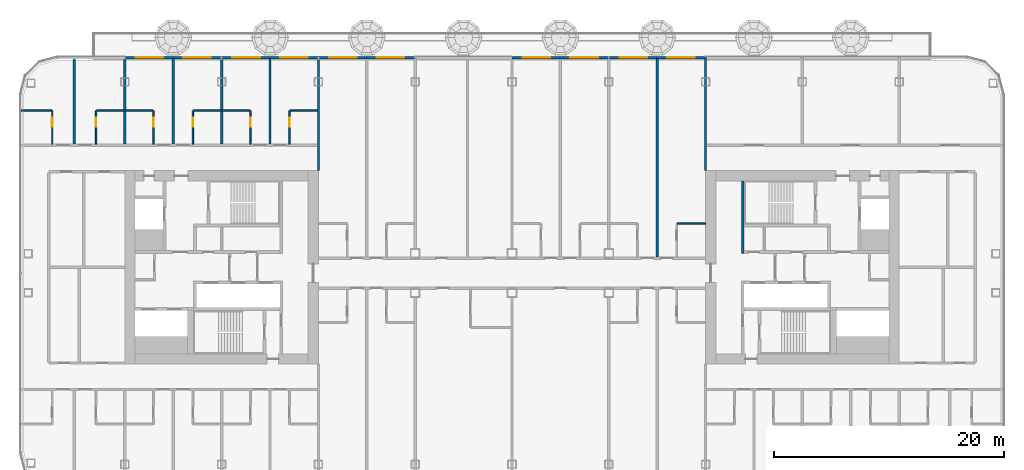
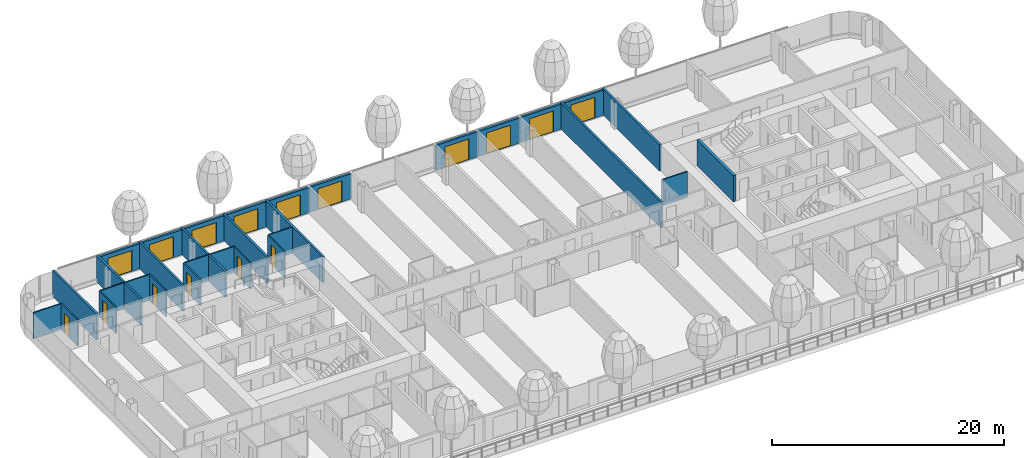
# One storey, part 16 of 32: 30 walls, 16 doors, 16 openings, 1 element without a shape of its own.
"""IFC4 building model written with IfcOpenShell, lengths in metres."""

from ifc_helpers import new_model, si_unit, direction, frame, frame_2d, origin, place, context, subcontext, project, spatial, rectangle, extrude, material, layer, layer_set, type_object, element, fill, aggregate, save


model = new_model("IFC4")

# Units and contexts
model_context = context("Model", 3, precision=1e-05, world=origin(), true_north=direction((0.0, 1.0)))
body_context = subcontext(model_context, "Body", "Model", "MODEL_VIEW")
ifc_project = project(units=[si_unit("LENGTHUNIT", "METRE"), si_unit("AREAUNIT", "SQUARE_METRE"), si_unit("VOLUMEUNIT", "CUBIC_METRE"), si_unit("PLANEANGLEUNIT", "RADIAN"), si_unit("MASSUNIT", "GRAM", prefix="KILO")], contexts=[model_context])

# Site, building, storey
site_placement = place(None, origin())
site = spatial("IfcSite", under=ifc_project, at=site_placement, CompositionType="ELEMENT")
building_placement = place(site_placement, origin())
building = spatial("IfcBuilding", under=site, at=building_placement, Name="Hakoniwa Tower and Hamabe Station Hall", CompositionType="ELEMENT")
storey_placement = place(building_placement, frame((0.0, 0.0, 150.199951171875)))
storey = spatial("IfcBuildingStorey", under=building, at=storey_placement, Name="L42", CompositionType="ELEMENT", Elevation=150.199951171875)

# Walls
ifc_material_1 = material(Name="Gypsum board partition", Category="gypsum")
ifc_layer_1 = layer(ifc_material_1, 0.125)
ifc_layer_set_1 = layer_set([ifc_layer_1], Name="Bathroom Partition 125")
wall_type_1 = type_object("IfcWallType", Name="Bathroom Partition 125", PredefinedType="PARTITIONING", material=ifc_layer_set_1)
wall_1_placement = place(storey_placement, frame((14.362548828125, 3.800048828125, 0.0), z_axis=(0.0, 0.0, 1.0), x_axis=(1.0, 0.0, 0.0)))
element("IfcWall", 1, at=wall_1_placement, inside=storey, type_object=wall_type_1, Name="GW-L42-026", PredefinedType="PARTITIONING", context=body_context, shape_type="SweptSolid", body=[
    extrude(rectangle(XDim=2.447509765625, YDim=0.125, at=frame_2d((1.2236328125, 0.0))), origin(), (0.0, 0.0, 1.0), 2.75),
])
wall_2_placement = place(storey_placement, frame((-42.699951171875, 13.60009765625, 0.0), z_axis=(0.0, 0.0, 1.0), x_axis=(1.0, 0.0, 0.0)))
element("IfcWall", 2, at=wall_2_placement, inside=storey, type_object=wall_type_1, Name="GW-L42-031", PredefinedType="PARTITIONING", context=body_context, shape_type="SweptSolid", body=[
    extrude(rectangle(XDim=2.737548828125, YDim=0.125, at=frame_2d((1.36865234375, 0.0))), origin(), (0.0, 0.0, 1.0), 2.75),
])
for number, where, z_axis, x_axis, name in (
    (3, (-36.03759765625, 13.60009765625, 0.0), (0.0, 0.0, 1.0), (1.0, 0.0, 0.0), "GW-L42-032"),
    (4, (-27.637451171875, 13.60009765625, 0.0), (0.0, 0.0, 1.0), (1.0, 0.0, 0.0), "GW-L42-033"),
):
    element("IfcWall", number, at=place(storey_placement, frame(where, z_axis=z_axis, x_axis=x_axis)), inside=storey, type_object=wall_type_1, Name=name, PredefinedType="PARTITIONING", context=body_context, shape_type="SweptSolid", body=[
        extrude(rectangle(XDim=4.875, YDim=0.125, at=frame_2d((2.4375, 0.0))), origin(), (0.0, 0.0, 1.0), 2.75),
    ])
wall_3_placement = place(storey_placement, frame((-19.237548828125, 13.60009765625, 0.0), z_axis=(0.0, 0.0, 1.0), x_axis=(1.0, 0.0, 0.0)))
element("IfcWall", 5, at=wall_3_placement, inside=storey, type_object=wall_type_1, Name="GW-L42-034", PredefinedType="PARTITIONING", context=body_context, shape_type="SweptSolid", body=[
    extrude(rectangle(XDim=2.337646484375, YDim=0.125, at=frame_2d((1.1689453125, 0.0))), origin(), (0.0, 0.0, 1.0), 2.75),
])

# Wall, opening, door
wall_4_placement = place(storey_placement, frame((-39.89990234375, 10.699951171875, 0.0), z_axis=(0.0, 0.0, 1.0), x_axis=(0.0, 1.0, 0.0)))
wall_4 = element("IfcWall", 6, at=wall_4_placement, inside=storey, type_object=wall_type_1, Name="GW-L42-037", PredefinedType="PARTITIONING", context=body_context, shape_type="SweptSolid", body=[
    extrude(rectangle(XDim=2.900146484375, YDim=0.125, at=frame_2d((1.4501953125, 0.0))), origin(), (0.0, 0.0, 1.0), 2.75),
])
opening_1_placement = place(wall_4_placement, frame((1.5, 0.0, 0.0)))
opening_1 = element("IfcOpeningElement", 7, at=opening_1_placement, cuts=wall_4, Name="Opening GD-G3B1-45", PredefinedType="OPENING", context=body_context, shape_type="SweptSolid", body=[
    extrude(rectangle(XDim=0.800048828125, YDim=2.10009765625, at=frame_2d((0.39990234375, 1.050048828125))), frame((0.0, 0.072509765625, 0.0), z_axis=(0.0, -1.0, 0.0), x_axis=(1.0, 0.0, 0.0)), (0.0, 0.0, 1.0), 0.14501953125),
])
ifc_material_2 = material(Name="Timber door leaf", Category="wood")
door_type_1 = type_object("IfcDoorType", Name="Bathroom Door 800", OperationType="SINGLE_SWING_LEFT", PredefinedType="DOOR", material=ifc_material_2)
door_1_placement = place(opening_1_placement, origin())
door_1 = element("IfcDoor", 8, at=door_1_placement, inside=storey, type_object=door_type_1, Name="Door GD-G3B1-45", OperationType="SINGLE_SWING_LEFT", OverallHeight=2.10009765625, OverallWidth=0.800048828125, PredefinedType="DOOR", context=body_context, shape_type="SweptSolid", body=[
    extrude(rectangle(XDim=0.800048828125, YDim=2.10009765625, at=frame_2d((0.39990234375, 1.050048828125))), frame((0.0, 0.02490234375, 0.0), z_axis=(0.0, -1.0, 0.0), x_axis=(1.0, 0.0, 0.0)), (0.0, 0.0, 1.0), 0.050048828125),
])
fill(opening_1, door_1)

wall_5_placement = place(storey_placement, frame((-36.10009765625, 10.699951171875, 0.0), z_axis=(0.0, 0.0, 1.0), x_axis=(0.0, 1.0, 0.0)))
wall_5 = element("IfcWall", 9, at=wall_5_placement, inside=storey, type_object=wall_type_1, Name="GW-L42-043", PredefinedType="PARTITIONING", context=body_context, shape_type="SweptSolid", body=[
    extrude(rectangle(XDim=2.900146484375, YDim=0.125, at=frame_2d((1.4501953125, 0.0))), origin(), (0.0, 0.0, 1.0), 2.75),
])
opening_2_placement = place(wall_5_placement, frame((1.5, 0.0, 0.0)))
opening_2 = element("IfcOpeningElement", 10, at=opening_2_placement, cuts=wall_5, Name="Opening GD-G3B1-47", PredefinedType="OPENING", context=body_context, shape_type="SweptSolid", body=[
    extrude(rectangle(XDim=0.800048828125, YDim=2.10009765625, at=frame_2d((0.39990234375, 1.050048828125))), frame((0.0, 0.072509765625, 0.0), z_axis=(0.0, -1.0, 0.0), x_axis=(1.0, 0.0, 0.0)), (0.0, 0.0, 1.0), 0.14501953125),
])
door_2_placement = place(opening_2_placement, origin())
door_2 = element("IfcDoor", 11, at=door_2_placement, inside=storey, type_object=door_type_1, Name="Door GD-G3B1-47", OperationType="SINGLE_SWING_RIGHT", OverallHeight=2.10009765625, OverallWidth=0.800048828125, PredefinedType="DOOR", context=body_context, shape_type="SweptSolid", body=[
    extrude(rectangle(XDim=0.800048828125, YDim=2.10009765625, at=frame_2d((0.39990234375, 1.050048828125))), frame((0.0, 0.02490234375, 0.0), z_axis=(0.0, -1.0, 0.0), x_axis=(1.0, 0.0, 0.0)), (0.0, 0.0, 1.0), 0.050048828125),
])
fill(opening_2, door_2)

wall_6_placement = place(storey_placement, frame((-31.10009765625, 10.699951171875, 0.0), z_axis=(0.0, 0.0, 1.0), x_axis=(0.0, 1.0, 0.0)))
wall_6 = element("IfcWall", 12, at=wall_6_placement, inside=storey, type_object=wall_type_1, Name="GW-L42-047", PredefinedType="PARTITIONING", context=body_context, shape_type="SweptSolid", body=[
    extrude(rectangle(XDim=2.900146484375, YDim=0.125, at=frame_2d((1.4501953125, 0.0))), origin(), (0.0, 0.0, 1.0), 2.75),
])
opening_3_placement = place(wall_6_placement, frame((1.5, 0.0, 0.0)))
opening_3 = element("IfcOpeningElement", 13, at=opening_3_placement, cuts=wall_6, Name="Opening GD-G3B1-49", PredefinedType="OPENING", context=body_context, shape_type="SweptSolid", body=[
    extrude(rectangle(XDim=0.800048828125, YDim=2.10009765625, at=frame_2d((0.39990234375, 1.050048828125))), frame((0.0, 0.072509765625, 0.0), z_axis=(0.0, -1.0, 0.0), x_axis=(1.0, 0.0, 0.0)), (0.0, 0.0, 1.0), 0.14501953125),
])
door_3_placement = place(opening_3_placement, origin())
door_3 = element("IfcDoor", 14, at=door_3_placement, inside=storey, type_object=door_type_1, Name="Door GD-G3B1-49", OperationType="SINGLE_SWING_LEFT", OverallHeight=2.10009765625, OverallWidth=0.800048828125, PredefinedType="DOOR", context=body_context, shape_type="SweptSolid", body=[
    extrude(rectangle(XDim=0.800048828125, YDim=2.10009765625, at=frame_2d((0.39990234375, 1.050048828125))), frame((0.0, 0.02490234375, 0.0), z_axis=(0.0, -1.0, 0.0), x_axis=(1.0, 0.0, 0.0)), (0.0, 0.0, 1.0), 0.050048828125),
])
fill(opening_3, door_3)

wall_7_placement = place(storey_placement, frame((-27.699951171875, 10.699951171875, 0.0), z_axis=(0.0, 0.0, 1.0), x_axis=(0.0, 1.0, 0.0)))
wall_7 = element("IfcWall", 15, at=wall_7_placement, inside=storey, type_object=wall_type_1, Name="GW-L42-051", PredefinedType="PARTITIONING", context=body_context, shape_type="SweptSolid", body=[
    extrude(rectangle(XDim=2.900146484375, YDim=0.125, at=frame_2d((1.4501953125, 0.0))), origin(), (0.0, 0.0, 1.0), 2.75),
])
opening_4_placement = place(wall_7_placement, frame((1.5, 0.0, 0.0)))
opening_4 = element("IfcOpeningElement", 16, at=opening_4_placement, cuts=wall_7, Name="Opening GD-G3B1-51", PredefinedType="OPENING", context=body_context, shape_type="SweptSolid", body=[
    extrude(rectangle(XDim=0.800048828125, YDim=2.10009765625, at=frame_2d((0.39990234375, 1.050048828125))), frame((0.0, 0.072509765625, 0.0), z_axis=(0.0, -1.0, 0.0), x_axis=(1.0, 0.0, 0.0)), (0.0, 0.0, 1.0), 0.14501953125),
])
door_4_placement = place(opening_4_placement, origin())
door_4 = element("IfcDoor", 17, at=door_4_placement, inside=storey, type_object=door_type_1, Name="Door GD-G3B1-51", OperationType="SINGLE_SWING_RIGHT", OverallHeight=2.10009765625, OverallWidth=0.800048828125, PredefinedType="DOOR", context=body_context, shape_type="SweptSolid", body=[
    extrude(rectangle(XDim=0.800048828125, YDim=2.10009765625, at=frame_2d((0.39990234375, 1.050048828125))), frame((0.0, 0.02490234375, 0.0), z_axis=(0.0, -1.0, 0.0), x_axis=(1.0, 0.0, 0.0)), (0.0, 0.0, 1.0), 0.050048828125),
])
fill(opening_4, door_4)

wall_8_placement = place(storey_placement, frame((-22.699951171875, 10.699951171875, 0.0), z_axis=(0.0, 0.0, 1.0), x_axis=(0.0, 1.0, 0.0)))
wall_8 = element("IfcWall", 18, at=wall_8_placement, inside=storey, type_object=wall_type_1, Name="GW-L42-055", PredefinedType="PARTITIONING", context=body_context, shape_type="SweptSolid", body=[
    extrude(rectangle(XDim=2.900146484375, YDim=0.125, at=frame_2d((1.4501953125, 0.0))), origin(), (0.0, 0.0, 1.0), 2.75),
])
opening_5_placement = place(wall_8_placement, frame((1.5, 0.0, 0.0)))
opening_5 = element("IfcOpeningElement", 19, at=opening_5_placement, cuts=wall_8, Name="Opening GD-G3B1-53", PredefinedType="OPENING", context=body_context, shape_type="SweptSolid", body=[
    extrude(rectangle(XDim=0.800048828125, YDim=2.10009765625, at=frame_2d((0.39990234375, 1.050048828125))), frame((0.0, 0.072509765625, 0.0), z_axis=(0.0, -1.0, 0.0), x_axis=(1.0, 0.0, 0.0)), (0.0, 0.0, 1.0), 0.14501953125),
])
door_5_placement = place(opening_5_placement, origin())
door_5 = element("IfcDoor", 20, at=door_5_placement, inside=storey, type_object=door_type_1, Name="Door GD-G3B1-53", OperationType="SINGLE_SWING_LEFT", OverallHeight=2.10009765625, OverallWidth=0.800048828125, PredefinedType="DOOR", context=body_context, shape_type="SweptSolid", body=[
    extrude(rectangle(XDim=0.800048828125, YDim=2.10009765625, at=frame_2d((0.39990234375, 1.050048828125))), frame((0.0, 0.02490234375, 0.0), z_axis=(0.0, -1.0, 0.0), x_axis=(1.0, 0.0, 0.0)), (0.0, 0.0, 1.0), 0.050048828125),
])
fill(opening_5, door_5)

wall_9_placement = place(storey_placement, frame((-19.300048828125, 10.699951171875, 0.0), z_axis=(0.0, 0.0, 1.0), x_axis=(0.0, 1.0, 0.0)))
wall_9 = element("IfcWall", 21, at=wall_9_placement, inside=storey, type_object=wall_type_1, Name="GW-L42-059", PredefinedType="PARTITIONING", context=body_context, shape_type="SweptSolid", body=[
    extrude(rectangle(XDim=2.900146484375, YDim=0.125, at=frame_2d((1.4501953125, 0.0))), origin(), (0.0, 0.0, 1.0), 2.75),
])
opening_6_placement = place(wall_9_placement, frame((1.5, 0.0, 0.0)))
opening_6 = element("IfcOpeningElement", 22, at=opening_6_placement, cuts=wall_9, Name="Opening GD-G3B1-55", PredefinedType="OPENING", context=body_context, shape_type="SweptSolid", body=[
    extrude(rectangle(XDim=0.800048828125, YDim=2.10009765625, at=frame_2d((0.39990234375, 1.050048828125))), frame((0.0, 0.072509765625, 0.0), z_axis=(0.0, -1.0, 0.0), x_axis=(1.0, 0.0, 0.0)), (0.0, 0.0, 1.0), 0.14501953125),
])
door_6_placement = place(opening_6_placement, origin())
door_6 = element("IfcDoor", 23, at=door_6_placement, inside=storey, type_object=door_type_1, Name="Door GD-G3B1-55", OperationType="SINGLE_SWING_RIGHT", OverallHeight=2.10009765625, OverallWidth=0.800048828125, PredefinedType="DOOR", context=body_context, shape_type="SweptSolid", body=[
    extrude(rectangle(XDim=0.800048828125, YDim=2.10009765625, at=frame_2d((0.39990234375, 1.050048828125))), frame((0.0, 0.02490234375, 0.0), z_axis=(0.0, -1.0, 0.0), x_axis=(1.0, 0.0, 0.0)), (0.0, 0.0, 1.0), 0.050048828125),
])
fill(opening_6, door_6)

# Wall
ifc_material_3 = material(Name="Concrete C66", Category="concrete")
ifc_layer_2 = layer(ifc_material_3, 0.25)
ifc_layer_set_2 = layer_set([ifc_layer_2], Name="CORE WEB WALL 250 C66")
wall_type_2 = type_object("IfcWallType", Name="CORE WEB WALL 250 C66", PredefinedType="SHEAR", material=ifc_layer_set_2)
wall_10_placement = place(storey_placement, frame((20.02490234375, 1.199951171875, 0.0), z_axis=(0.0, 0.0, 1.0), x_axis=(0.0, 1.0, 0.0)))
element("IfcWall", 24, at=wall_10_placement, inside=storey, type_object=wall_type_2, Name="Core wall W1N east", PredefinedType="SHEAR", context=body_context, shape_type="SweptSolid", body=[
    extrude(rectangle(XDim=6.300048828125, YDim=0.25, at=frame_2d((3.14990234375, 0.0))), origin(), (0.0, 0.0, 1.0), 2.75),
])

# Curtain wall, walls, openings, doors
ifc_material_4 = material(Name="Dark low-e laminated glass", Category="glass")
ifc_layer_3 = layer(ifc_material_4, 0.199951171875)
ifc_layer_set_3 = layer_set([ifc_layer_3], Name="CW-1 UNITISED GUEST")
curtain_wall_type = type_object("IfcCurtainWallType", Name="CW-1 UNITISED GUEST", PredefinedType="NOTDEFINED", material=ifc_layer_set_3)
curtain_wall_placement = place(storey_placement, origin())
curtain_wall = element("IfcCurtainWall", 25, at=curtain_wall_placement, inside=storey, type_object=curtain_wall_type, Name="CW-1 curtain wall", PredefinedType="NOTDEFINED")
ifc_material_5 = material(Name="Dark glass-faced aluminium panel", Category="aluminium")
ifc_layer_4 = layer(ifc_material_5, 0.199951171875)
ifc_layer_set_4 = layer_set([ifc_layer_4], Name="DOOR BAY WALL")
wall_type_3 = type_object("IfcWallType", Name="DOOR BAY WALL", PredefinedType="NOTDEFINED", material=ifc_layer_set_4)
wall_11_placement = place(storey_placement, frame((16.780029296875, 18.199951171875, 0.0), z_axis=(0.0, 0.0, 1.0), x_axis=(-1.0, 0.0, 0.0)))
wall_11 = element("IfcWall", 26, at=wall_11_placement, type_object=wall_type_3, Name="Door bay wall", PredefinedType="NOTDEFINED", context=body_context, shape_type="SweptSolid", body=[
    extrude(rectangle(XDim=4.219970703125, YDim=0.199951171875, at=frame_2d((2.10986328125, 0.0))), origin(), (0.0, 0.0, 1.0), 2.650146484375),
])
opening_7_placement = place(wall_11_placement, frame((0.909912109375, 0.0, 0.0)))
opening_7 = element("IfcOpeningElement", 27, at=opening_7_placement, cuts=wall_11, Name="Opening BD-N03-6", PredefinedType="OPENING", context=body_context, shape_type="SweptSolid", body=[
    extrude(rectangle(XDim=2.39990234375, YDim=2.199951171875, at=frame_2d((1.199951171875, 1.10009765625))), frame((0.0, 0.10986328125, 0.0), z_axis=(0.0, -1.0, 0.0), x_axis=(1.0, 0.0, 0.0)), (0.0, 0.0, 1.0), 0.219970703125),
])
ifc_material_6 = material(Name="Dark low-e laminated glass", Category="glass")
door_type_2 = type_object("IfcDoorType", Name="BALCONY SLIDING DOOR 2400X2200", OperationType="SLIDING_TO_LEFT", PredefinedType="DOOR", material=ifc_material_6)
door_7_placement = place(opening_7_placement, frame((2.39990234375, 0.0, 0.0), z_axis=(0.0, 0.0, 1.0), x_axis=(-1.0, 0.0, 0.0)))
door_7 = element("IfcDoor", 28, at=door_7_placement, inside=storey, type_object=door_type_2, Name="Balcony sliding door", OperationType="SLIDING_TO_LEFT", OverallHeight=2.199951171875, OverallWidth=2.39990234375, PredefinedType="DOOR", context=body_context, shape_type="SweptSolid", body=[
    extrude(rectangle(XDim=2.39990234375, YDim=2.199951171875, at=frame_2d((1.199951171875, 1.10009765625))), frame((0.0, 0.02490234375, 0.0), z_axis=(0.0, -1.0, 0.0), x_axis=(1.0, 0.0, 0.0)), (0.0, 0.0, 1.0), 0.050048828125),
])
fill(opening_7, door_7)
wall_12_placement = place(storey_placement, frame((12.639892578125, 18.199951171875, 0.0), z_axis=(0.0, 0.0, 1.0), x_axis=(-1.0, 0.0, 0.0)))
wall_12 = element("IfcWall", 29, at=wall_12_placement, type_object=wall_type_3, Name="Door bay wall", PredefinedType="NOTDEFINED", context=body_context, shape_type="SweptSolid", body=[
    extrude(rectangle(XDim=4.219970703125, YDim=0.199951171875, at=frame_2d((2.10986328125, 0.0))), origin(), (0.0, 0.0, 1.0), 2.650146484375),
])
opening_8_placement = place(wall_12_placement, frame((0.909912109375, 0.0, 0.0)))
opening_8 = element("IfcOpeningElement", 30, at=opening_8_placement, cuts=wall_12, Name="Opening BD-N03-5", PredefinedType="OPENING", context=body_context, shape_type="SweptSolid", body=[
    extrude(rectangle(XDim=2.39990234375, YDim=2.199951171875, at=frame_2d((1.199951171875, 1.10009765625))), frame((0.0, 0.10986328125, 0.0), z_axis=(0.0, -1.0, 0.0), x_axis=(1.0, 0.0, 0.0)), (0.0, 0.0, 1.0), 0.219970703125),
])
door_8_placement = place(opening_8_placement, frame((2.39990234375, 0.0, 0.0), z_axis=(0.0, 0.0, 1.0), x_axis=(-1.0, 0.0, 0.0)))
door_8 = element("IfcDoor", 31, at=door_8_placement, inside=storey, type_object=door_type_2, Name="Balcony sliding door", OperationType="SLIDING_TO_LEFT", OverallHeight=2.199951171875, OverallWidth=2.39990234375, PredefinedType="DOOR", context=body_context, shape_type="SweptSolid", body=[
    extrude(rectangle(XDim=2.39990234375, YDim=2.199951171875, at=frame_2d((1.199951171875, 1.10009765625))), frame((0.0, 0.02490234375, 0.0), z_axis=(0.0, -1.0, 0.0), x_axis=(1.0, 0.0, 0.0)), (0.0, 0.0, 1.0), 0.050048828125),
])
fill(opening_8, door_8)
wall_13_placement = place(storey_placement, frame((8.3798828125, 18.199951171875, 0.0), z_axis=(0.0, 0.0, 1.0), x_axis=(-1.0, 0.0, 0.0)))
wall_13 = element("IfcWall", 32, at=wall_13_placement, type_object=wall_type_3, Name="Door bay wall", PredefinedType="NOTDEFINED", context=body_context, shape_type="SweptSolid", body=[
    extrude(rectangle(XDim=4.219970703125, YDim=0.199951171875, at=frame_2d((2.10986328125, 0.0))), origin(), (0.0, 0.0, 1.0), 2.650146484375),
])
opening_9_placement = place(wall_13_placement, frame((0.909912109375, 0.0, 0.0)))
opening_9 = element("IfcOpeningElement", 33, at=opening_9_placement, cuts=wall_13, Name="Opening BD-N03-4", PredefinedType="OPENING", context=body_context, shape_type="SweptSolid", body=[
    extrude(rectangle(XDim=2.39990234375, YDim=2.199951171875, at=frame_2d((1.199951171875, 1.10009765625))), frame((0.0, 0.10986328125, 0.0), z_axis=(0.0, -1.0, 0.0), x_axis=(1.0, 0.0, 0.0)), (0.0, 0.0, 1.0), 0.219970703125),
])
door_9_placement = place(opening_9_placement, frame((2.39990234375, 0.0, 0.0), z_axis=(0.0, 0.0, 1.0), x_axis=(-1.0, 0.0, 0.0)))
door_9 = element("IfcDoor", 34, at=door_9_placement, inside=storey, type_object=door_type_2, Name="Balcony sliding door", OperationType="SLIDING_TO_LEFT", OverallHeight=2.199951171875, OverallWidth=2.39990234375, PredefinedType="DOOR", context=body_context, shape_type="SweptSolid", body=[
    extrude(rectangle(XDim=2.39990234375, YDim=2.199951171875, at=frame_2d((1.199951171875, 1.10009765625))), frame((0.0, 0.02490234375, 0.0), z_axis=(0.0, -1.0, 0.0), x_axis=(1.0, 0.0, 0.0)), (0.0, 0.0, 1.0), 0.050048828125),
])
fill(opening_9, door_9)
wall_14_placement = place(storey_placement, frame((4.239990234375, 18.199951171875, 0.0), z_axis=(0.0, 0.0, 1.0), x_axis=(-1.0, 0.0, 0.0)))
wall_14 = element("IfcWall", 35, at=wall_14_placement, type_object=wall_type_3, Name="Door bay wall", PredefinedType="NOTDEFINED", context=body_context, shape_type="SweptSolid", body=[
    extrude(rectangle(XDim=4.219970703125, YDim=0.199951171875, at=frame_2d((2.10986328125, 0.0))), origin(), (0.0, 0.0, 1.0), 2.650146484375),
])
opening_10_placement = place(wall_14_placement, frame((0.909912109375, 0.0, 0.0)))
opening_10 = element("IfcOpeningElement", 36, at=opening_10_placement, cuts=wall_14, Name="Opening BD-N03-3", PredefinedType="OPENING", context=body_context, shape_type="SweptSolid", body=[
    extrude(rectangle(XDim=2.39990234375, YDim=2.199951171875, at=frame_2d((1.199951171875, 1.10009765625))), frame((0.0, 0.10986328125, 0.0), z_axis=(0.0, -1.0, 0.0), x_axis=(1.0, 0.0, 0.0)), (0.0, 0.0, 1.0), 0.219970703125),
])
door_10_placement = place(opening_10_placement, frame((2.39990234375, 0.0, 0.0), z_axis=(0.0, 0.0, 1.0), x_axis=(-1.0, 0.0, 0.0)))
door_10 = element("IfcDoor", 37, at=door_10_placement, inside=storey, type_object=door_type_2, Name="Balcony sliding door", OperationType="SLIDING_TO_LEFT", OverallHeight=2.199951171875, OverallWidth=2.39990234375, PredefinedType="DOOR", context=body_context, shape_type="SweptSolid", body=[
    extrude(rectangle(XDim=2.39990234375, YDim=2.199951171875, at=frame_2d((1.199951171875, 1.10009765625))), frame((0.0, 0.02490234375, 0.0), z_axis=(0.0, -1.0, 0.0), x_axis=(1.0, 0.0, 0.0)), (0.0, 0.0, 1.0), 0.050048828125),
])
fill(opening_10, door_10)
wall_15_placement = place(storey_placement, frame((-8.419921875, 18.199951171875, 0.0), z_axis=(0.0, 0.0, 1.0), x_axis=(-1.0, 0.0, 0.0)))
wall_15 = element("IfcWall", 38, at=wall_15_placement, type_object=wall_type_3, Name="Door bay wall", PredefinedType="NOTDEFINED", context=body_context, shape_type="SweptSolid", body=[
    extrude(rectangle(XDim=4.219970703125, YDim=0.199951171875, at=frame_2d((2.10986328125, 0.0))), origin(), (0.0, 0.0, 1.0), 2.650146484375),
])
opening_11_placement = place(wall_15_placement, frame((0.909912109375, 0.0, 0.0)))
opening_11 = element("IfcOpeningElement", 39, at=opening_11_placement, cuts=wall_15, Name="Opening BD-N03-2", PredefinedType="OPENING", context=body_context, shape_type="SweptSolid", body=[
    extrude(rectangle(XDim=2.39990234375, YDim=2.199951171875, at=frame_2d((1.199951171875, 1.10009765625))), frame((0.0, 0.10986328125, 0.0), z_axis=(0.0, -1.0, 0.0), x_axis=(1.0, 0.0, 0.0)), (0.0, 0.0, 1.0), 0.219970703125),
])
door_11_placement = place(opening_11_placement, frame((2.39990234375, 0.0, 0.0), z_axis=(0.0, 0.0, 1.0), x_axis=(-1.0, 0.0, 0.0)))
door_11 = element("IfcDoor", 40, at=door_11_placement, inside=storey, type_object=door_type_2, Name="Balcony sliding door", OperationType="SLIDING_TO_LEFT", OverallHeight=2.199951171875, OverallWidth=2.39990234375, PredefinedType="DOOR", context=body_context, shape_type="SweptSolid", body=[
    extrude(rectangle(XDim=2.39990234375, YDim=2.199951171875, at=frame_2d((1.199951171875, 1.10009765625))), frame((0.0, 0.02490234375, 0.0), z_axis=(0.0, -1.0, 0.0), x_axis=(1.0, 0.0, 0.0)), (0.0, 0.0, 1.0), 0.050048828125),
])
fill(opening_11, door_11)
wall_16_placement = place(storey_placement, frame((-12.56005859375, 18.199951171875, 0.0), z_axis=(0.0, 0.0, 1.0), x_axis=(-1.0, 0.0, 0.0)))
wall_16 = element("IfcWall", 41, at=wall_16_placement, type_object=wall_type_3, Name="Door bay wall", PredefinedType="NOTDEFINED", context=body_context, shape_type="SweptSolid", body=[
    extrude(rectangle(XDim=4.219970703125, YDim=0.199951171875, at=frame_2d((2.10986328125, 0.0))), origin(), (0.0, 0.0, 1.0), 2.650146484375),
])
opening_12_placement = place(wall_16_placement, frame((0.909912109375, 0.0, 0.0)))
opening_12 = element("IfcOpeningElement", 42, at=opening_12_placement, cuts=wall_16, Name="Opening BD-N03-1", PredefinedType="OPENING", context=body_context, shape_type="SweptSolid", body=[
    extrude(rectangle(XDim=2.39990234375, YDim=2.199951171875, at=frame_2d((1.199951171875, 1.10009765625))), frame((0.0, 0.10986328125, 0.0), z_axis=(0.0, -1.0, 0.0), x_axis=(1.0, 0.0, 0.0)), (0.0, 0.0, 1.0), 0.219970703125),
])
door_12_placement = place(opening_12_placement, frame((2.39990234375, 0.0, 0.0), z_axis=(0.0, 0.0, 1.0), x_axis=(-1.0, 0.0, 0.0)))
door_12 = element("IfcDoor", 43, at=door_12_placement, inside=storey, type_object=door_type_2, Name="Balcony sliding door", OperationType="SLIDING_TO_LEFT", OverallHeight=2.199951171875, OverallWidth=2.39990234375, PredefinedType="DOOR", context=body_context, shape_type="SweptSolid", body=[
    extrude(rectangle(XDim=2.39990234375, YDim=2.199951171875, at=frame_2d((1.199951171875, 1.10009765625))), frame((0.0, 0.02490234375, 0.0), z_axis=(0.0, -1.0, 0.0), x_axis=(1.0, 0.0, 0.0)), (0.0, 0.0, 1.0), 0.050048828125),
])
fill(opening_12, door_12)
wall_17_placement = place(storey_placement, frame((-16.820068359375, 18.199951171875, 0.0), z_axis=(0.0, 0.0, 1.0), x_axis=(-1.0, 0.0, 0.0)))
wall_17 = element("IfcWall", 44, at=wall_17_placement, type_object=wall_type_3, Name="Door bay wall", PredefinedType="NOTDEFINED", context=body_context, shape_type="SweptSolid", body=[
    extrude(rectangle(XDim=4.219970703125, YDim=0.199951171875, at=frame_2d((2.10986328125, 0.0))), origin(), (0.0, 0.0, 1.0), 2.650146484375),
])
opening_13_placement = place(wall_17_placement, frame((0.909912109375, 0.0, 0.0)))
opening_13 = element("IfcOpeningElement", 45, at=opening_13_placement, cuts=wall_17, Name="Opening BD-N03-19", PredefinedType="OPENING", context=body_context, shape_type="SweptSolid", body=[
    extrude(rectangle(XDim=2.39990234375, YDim=2.199951171875, at=frame_2d((1.199951171875, 1.10009765625))), frame((0.0, 0.10986328125, 0.0), z_axis=(0.0, -1.0, 0.0), x_axis=(1.0, 0.0, 0.0)), (0.0, 0.0, 1.0), 0.219970703125),
])
door_13_placement = place(opening_13_placement, frame((2.39990234375, 0.0, 0.0), z_axis=(0.0, 0.0, 1.0), x_axis=(-1.0, 0.0, 0.0)))
door_13 = element("IfcDoor", 46, at=door_13_placement, inside=storey, type_object=door_type_2, Name="Balcony sliding door", OperationType="SLIDING_TO_LEFT", OverallHeight=2.199951171875, OverallWidth=2.39990234375, PredefinedType="DOOR", context=body_context, shape_type="SweptSolid", body=[
    extrude(rectangle(XDim=2.39990234375, YDim=2.199951171875, at=frame_2d((1.199951171875, 1.10009765625))), frame((0.0, 0.02490234375, 0.0), z_axis=(0.0, -1.0, 0.0), x_axis=(1.0, 0.0, 0.0)), (0.0, 0.0, 1.0), 0.050048828125),
])
fill(opening_13, door_13)
wall_18_placement = place(storey_placement, frame((-20.9599609375, 18.199951171875, 0.0), z_axis=(0.0, 0.0, 1.0), x_axis=(-1.0, 0.0, 0.0)))
wall_18 = element("IfcWall", 47, at=wall_18_placement, type_object=wall_type_3, Name="Door bay wall", PredefinedType="NOTDEFINED", context=body_context, shape_type="SweptSolid", body=[
    extrude(rectangle(XDim=4.219970703125, YDim=0.199951171875, at=frame_2d((2.10986328125, 0.0))), origin(), (0.0, 0.0, 1.0), 2.650146484375),
])
opening_14_placement = place(wall_18_placement, frame((0.909912109375, 0.0, 0.0)))
opening_14 = element("IfcOpeningElement", 48, at=opening_14_placement, cuts=wall_18, Name="Opening BD-N03-18", PredefinedType="OPENING", context=body_context, shape_type="SweptSolid", body=[
    extrude(rectangle(XDim=2.39990234375, YDim=2.199951171875, at=frame_2d((1.199951171875, 1.10009765625))), frame((0.0, 0.10986328125, 0.0), z_axis=(0.0, -1.0, 0.0), x_axis=(1.0, 0.0, 0.0)), (0.0, 0.0, 1.0), 0.219970703125),
])
door_14_placement = place(opening_14_placement, frame((2.39990234375, 0.0, 0.0), z_axis=(0.0, 0.0, 1.0), x_axis=(-1.0, 0.0, 0.0)))
door_14 = element("IfcDoor", 49, at=door_14_placement, inside=storey, type_object=door_type_2, Name="Balcony sliding door", OperationType="SLIDING_TO_LEFT", OverallHeight=2.199951171875, OverallWidth=2.39990234375, PredefinedType="DOOR", context=body_context, shape_type="SweptSolid", body=[
    extrude(rectangle(XDim=2.39990234375, YDim=2.199951171875, at=frame_2d((1.199951171875, 1.10009765625))), frame((0.0, 0.02490234375, 0.0), z_axis=(0.0, -1.0, 0.0), x_axis=(1.0, 0.0, 0.0)), (0.0, 0.0, 1.0), 0.050048828125),
])
fill(opening_14, door_14)
wall_19_placement = place(storey_placement, frame((-25.219970703125, 18.199951171875, 0.0), z_axis=(0.0, 0.0, 1.0), x_axis=(-1.0, 0.0, 0.0)))
wall_19 = element("IfcWall", 50, at=wall_19_placement, type_object=wall_type_3, Name="Door bay wall", PredefinedType="NOTDEFINED", context=body_context, shape_type="SweptSolid", body=[
    extrude(rectangle(XDim=4.219970703125, YDim=0.199951171875, at=frame_2d((2.10986328125, 0.0))), origin(), (0.0, 0.0, 1.0), 2.650146484375),
])
opening_15_placement = place(wall_19_placement, frame((0.909912109375, 0.0, 0.0)))
opening_15 = element("IfcOpeningElement", 51, at=opening_15_placement, cuts=wall_19, Name="Opening BD-N03-17", PredefinedType="OPENING", context=body_context, shape_type="SweptSolid", body=[
    extrude(rectangle(XDim=2.39990234375, YDim=2.199951171875, at=frame_2d((1.199951171875, 1.10009765625))), frame((0.0, 0.10986328125, 0.0), z_axis=(0.0, -1.0, 0.0), x_axis=(1.0, 0.0, 0.0)), (0.0, 0.0, 1.0), 0.219970703125),
])
door_15_placement = place(opening_15_placement, frame((2.39990234375, 0.0, 0.0), z_axis=(0.0, 0.0, 1.0), x_axis=(-1.0, 0.0, 0.0)))
door_15 = element("IfcDoor", 52, at=door_15_placement, inside=storey, type_object=door_type_2, Name="Balcony sliding door", OperationType="SLIDING_TO_LEFT", OverallHeight=2.199951171875, OverallWidth=2.39990234375, PredefinedType="DOOR", context=body_context, shape_type="SweptSolid", body=[
    extrude(rectangle(XDim=2.39990234375, YDim=2.199951171875, at=frame_2d((1.199951171875, 1.10009765625))), frame((0.0, 0.02490234375, 0.0), z_axis=(0.0, -1.0, 0.0), x_axis=(1.0, 0.0, 0.0)), (0.0, 0.0, 1.0), 0.050048828125),
])
fill(opening_15, door_15)
wall_20_placement = place(storey_placement, frame((-29.360107421875, 18.199951171875, 0.0), z_axis=(0.0, 0.0, 1.0), x_axis=(-1.0, 0.0, 0.0)))
wall_20 = element("IfcWall", 53, at=wall_20_placement, type_object=wall_type_3, Name="Door bay wall", PredefinedType="NOTDEFINED", context=body_context, shape_type="SweptSolid", body=[
    extrude(rectangle(XDim=4.219970703125, YDim=0.199951171875, at=frame_2d((2.10986328125, 0.0))), origin(), (0.0, 0.0, 1.0), 2.650146484375),
])
opening_16_placement = place(wall_20_placement, frame((0.909912109375, 0.0, 0.0)))
opening_16 = element("IfcOpeningElement", 54, at=opening_16_placement, cuts=wall_20, Name="Opening BD-N03-16", PredefinedType="OPENING", context=body_context, shape_type="SweptSolid", body=[
    extrude(rectangle(XDim=2.39990234375, YDim=2.199951171875, at=frame_2d((1.199951171875, 1.10009765625))), frame((0.0, 0.10986328125, 0.0), z_axis=(0.0, -1.0, 0.0), x_axis=(1.0, 0.0, 0.0)), (0.0, 0.0, 1.0), 0.219970703125),
])
door_16_placement = place(opening_16_placement, frame((2.39990234375, 0.0, 0.0), z_axis=(0.0, 0.0, 1.0), x_axis=(-1.0, 0.0, 0.0)))
door_16 = element("IfcDoor", 55, at=door_16_placement, inside=storey, type_object=door_type_2, Name="Balcony sliding door", OperationType="SLIDING_TO_LEFT", OverallHeight=2.199951171875, OverallWidth=2.39990234375, PredefinedType="DOOR", context=body_context, shape_type="SweptSolid", body=[
    extrude(rectangle(XDim=2.39990234375, YDim=2.199951171875, at=frame_2d((1.199951171875, 1.10009765625))), frame((0.0, 0.02490234375, 0.0), z_axis=(0.0, -1.0, 0.0), x_axis=(1.0, 0.0, 0.0)), (0.0, 0.0, 1.0), 0.050048828125),
])
fill(opening_16, door_16)
aggregate(curtain_wall, [wall_11, wall_12, wall_13, wall_14, wall_15, wall_16, wall_17, wall_18, wall_19, wall_20])

# Walls
ifc_material_7 = material(Name="Fire-rated gypsum board partition", Category="gypsum")
ifc_layer_5 = layer(ifc_material_7, 0.199951171875)
ifc_layer_set_5 = layer_set([ifc_layer_5], Name="Party Wall 200")
wall_type_4 = type_object("IfcWallType", Name="Party Wall 200", PredefinedType="PARTITIONING", material=ifc_layer_set_5)
for number, where, z_axis, x_axis, name in (
    (56, (-38.0, 10.699951171875, 0.0), (0.0, 0.0, 1.0), (0.0, 1.0, 0.0), "GW-L42-039"),
    (57, (-33.60009765625, 10.699951171875, 0.0), (0.0, 0.0, 1.0), (0.0, 1.0, 0.0), "GW-L42-045"),
    (58, (-29.39990234375, 10.699951171875, 0.0), (0.0, 0.0, 1.0), (0.0, 1.0, 0.0), "GW-L42-049"),
    (59, (-25.199951171875, 10.699951171875, 0.0), (0.0, 0.0, 1.0), (0.0, 1.0, 0.0), "GW-L42-053"),
    (60, (-21.0, 10.699951171875, 0.0), (0.0, 0.0, 1.0), (0.0, 1.0, 0.0), "GW-L42-057"),
):
    element("IfcWall", number, at=place(storey_placement, frame(where, z_axis=z_axis, x_axis=x_axis)), inside=storey, type_object=wall_type_4, Name=name, PredefinedType="PARTITIONING", context=body_context, shape_type="SweptSolid", body=[
        extrude(rectangle(XDim=7.60009765625, YDim=0.199951171875, at=frame_2d((3.800048828125, 0.0))), origin(), (0.0, 0.0, 1.0), 2.75),
    ])
wall_21_placement = place(storey_placement, frame((-16.800048828125, 8.389892578125, 0.0), z_axis=(0.0, 0.0, 1.0), x_axis=(0.0, 1.0, 0.0)))
element("IfcWall", 61, at=wall_21_placement, inside=storey, type_object=wall_type_4, Name="GW-L42-061", PredefinedType="PARTITIONING", context=body_context, shape_type="SweptSolid", body=[
    extrude(rectangle(XDim=9.91015625, YDim=0.199951171875, at=frame_2d((4.955078125, 0.0))), origin(), (0.0, 0.0, 1.0), 2.75),
])
wall_22_placement = place(storey_placement, frame((12.60009765625, 0.89990234375, 0.0), z_axis=(0.0, 0.0, 1.0), x_axis=(0.0, 1.0, 0.0)))
element("IfcWall", 62, at=wall_22_placement, inside=storey, type_object=wall_type_4, Name="GW-L42-082", PredefinedType="PARTITIONING", context=body_context, shape_type="SweptSolid", body=[
    extrude(rectangle(XDim=17.400146484375, YDim=0.199951171875, at=frame_2d((8.7001953125, 0.0))), origin(), (0.0, 0.0, 1.0), 2.75),
])
wall_23_placement = place(storey_placement, frame((16.800048828125, 8.389892578125, 0.0), z_axis=(0.0, 0.0, 1.0), x_axis=(0.0, 1.0, 0.0)))
element("IfcWall", 63, at=wall_23_placement, inside=storey, type_object=wall_type_4, Name="GW-L42-086", PredefinedType="PARTITIONING", context=body_context, shape_type="SweptSolid", body=[
    extrude(rectangle(XDim=9.91015625, YDim=0.199951171875, at=frame_2d((4.955078125, 0.0))), origin(), (0.0, 0.0, 1.0), 2.75),
])

save(model, "model.ifc")
